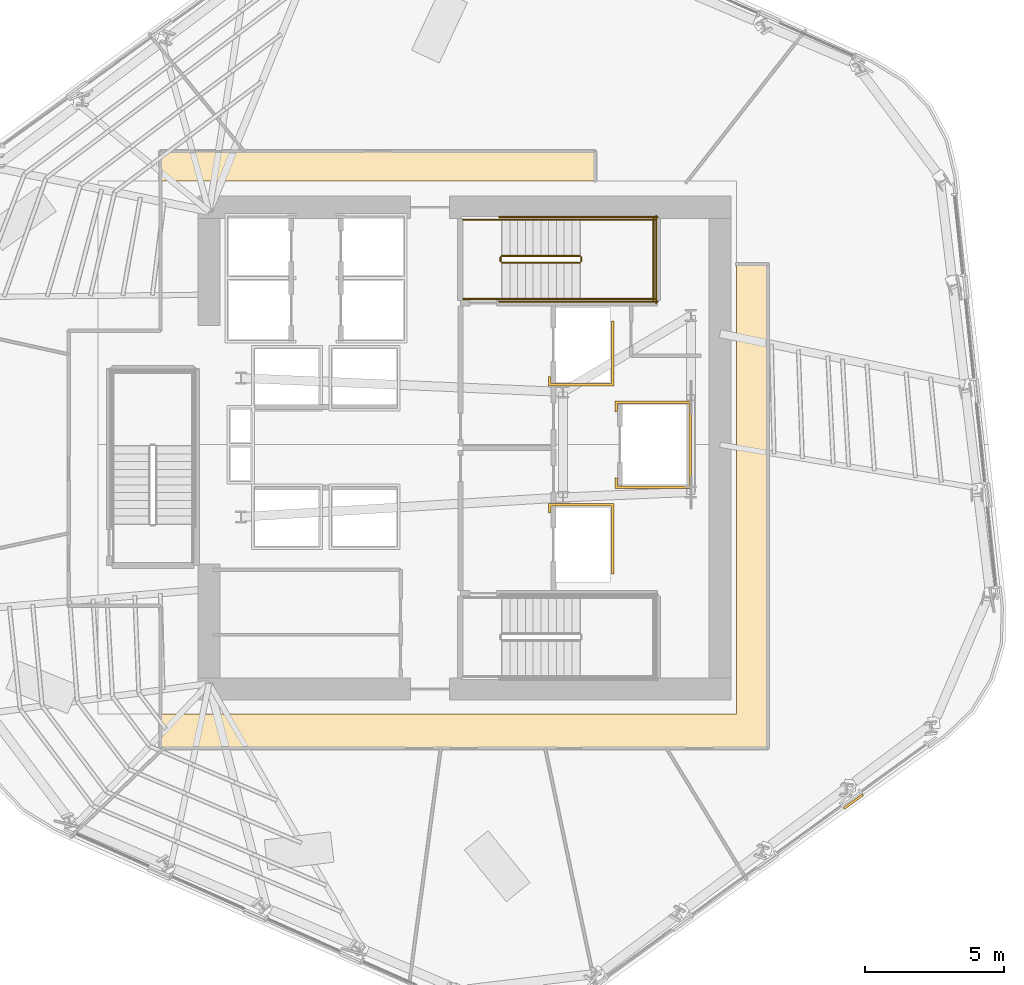
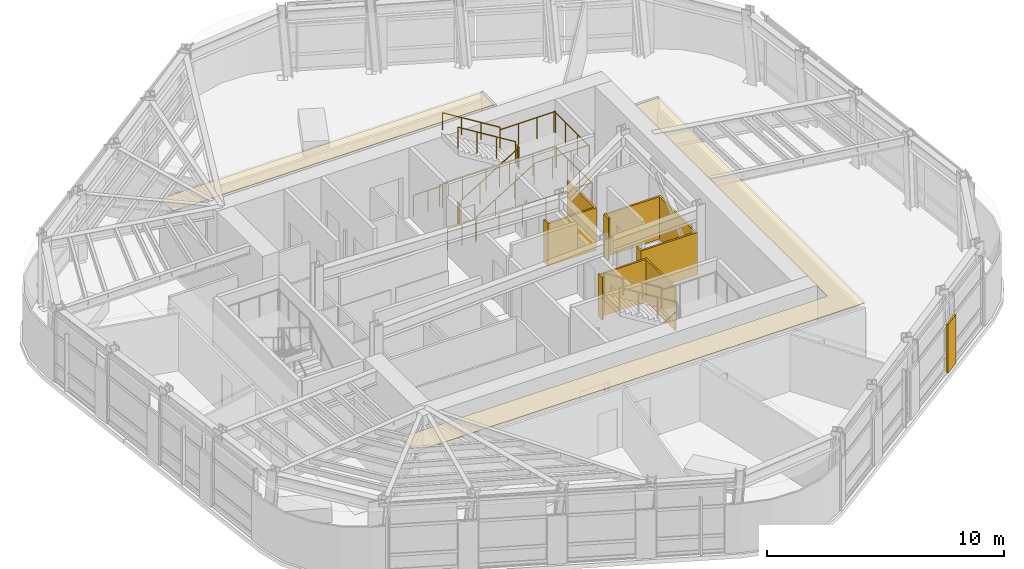
# One storey, part 12 of 14: 14 railings, 6 coverings.
"""IFC4 building model written with IfcOpenShell, lengths in metres."""

from ifc_helpers import new_model, si_unit, direction, frame, origin, origin_2d, place, context, subcontext, project, spatial, polyline, circle, outline, extrude, material, layer, layer_set, type_object, element, save


model = new_model("IFC4")

# Units and contexts
model_context = context("Model", 3, precision=1e-05, world=origin(), true_north=direction((0.0, 1.0)))
body_context = subcontext(model_context, "Body", "Model", "MODEL_VIEW")
ifc_project = project(units=[si_unit("LENGTHUNIT", "METRE"), si_unit("AREAUNIT", "SQUARE_METRE"), si_unit("VOLUMEUNIT", "CUBIC_METRE"), si_unit("PLANEANGLEUNIT", "RADIAN"), si_unit("MASSUNIT", "GRAM", prefix="KILO")], contexts=[model_context])

# Site, building, storey
site_placement = place(None, origin())
site = spatial("IfcSite", under=ifc_project, at=site_placement, CompositionType="ELEMENT")
building_placement = place(site_placement, origin())
building = spatial("IfcBuilding", under=site, at=building_placement, Name="Valkerne Bourse Tower", CompositionType="ELEMENT")
storey_placement = place(building_placement, frame((0.0, 0.0, 178.0)))
storey = spatial("IfcBuildingStorey", under=building, at=storey_placement, Name="L45", CompositionType="ELEMENT", Elevation=178.0)

# Coverings
ifc_material_1 = material(Name="Bronze Anodised Aluminium AA 6063-T6", Category="aluminium")
ifc_layer_1 = layer(ifc_material_1, 0.030029296875)
ifc_layer_set_1 = layer_set([ifc_layer_1], Name="Bronze Anodised Aluminium AA 6063-T6")
covering_type_1 = type_object("IfcCoveringType", Name="COV-CEIL-METAL", PredefinedType="CEILING", material=ifc_layer_set_1)
covering_1_placement = place(storey_placement, frame((0.0, 0.0, 3.22998046875)))
element("IfcCovering", 1, at=covering_1_placement, inside=storey, type_object=covering_type_1, Name="L45 Suspended Ceiling 01", PredefinedType="CEILING", context=body_context, shape_type="SweptSolid", body=[
    extrude(outline(polyline([(35.85400390625, 17.300048828125), (56.60009765625, 17.300048828125), (56.60009765625, 33.49609375), (57.716064453125, 33.49609375), (57.716064453125, 16.083984375), (35.85400390625, 16.083984375), (35.85400390625, 17.300048828125)])), origin(), (0.0, 0.0, 1.0), 0.02490234375),
])
covering_2_placement = place(storey_placement, frame((0.0, 0.0, 3.22998046875)))
element("IfcCovering", 2, at=covering_2_placement, inside=storey, type_object=covering_type_1, Name="L45 Suspended Ceiling 03", PredefinedType="CEILING", context=body_context, shape_type="SweptSolid", body=[
    extrude(outline(polyline([(35.85400390625, 37.555908203125), (51.49609375, 37.555908203125), (51.49609375, 36.5), (35.85400390625, 36.5), (35.85400390625, 37.555908203125)])), origin(), (0.0, 0.0, 1.0), 0.02490234375),
])
ifc_layer_2 = layer(ifc_material_1, 0.06005859375)
ifc_layer_set_2 = layer_set([ifc_layer_2], Name="Bronze Anodised Aluminium AA 6063-T6")
covering_type_2 = type_object("IfcCoveringType", Name="COV-CRN-ALUM", PredefinedType="CLADDING", material=ifc_layer_set_2)
covering_3_placement = place(storey_placement, origin())
element("IfcCovering", 3, at=covering_3_placement, inside=storey, type_object=covering_type_2, Name="L45 Wind-Shaped Corner Aluminium Cladding 02", PredefinedType="CLADDING", context=body_context, shape_type="SweptSolid", body=[
    extrude(outline(polyline([(60.481201171875, 13.870361328125), (60.434326171875, 13.93505859375), (61.116455078125, 14.42529296875), (61.163330078125, 14.360595703125), (60.481201171875, 13.870361328125)])), origin(), (0.0, 0.0, 1.0), 2.5),
])
ifc_material_2 = material(Name="Gypsum Shaftwall Liner Board", Category="gypsum")
ifc_layer_3 = layer(ifc_material_2, 0.080078125)
ifc_layer_set_3 = layer_set([ifc_layer_3], Name="Gypsum Shaftwall Liner Board")
covering_type_3 = type_object("IfcCoveringType", Name="COV-SHF-CLAD", PredefinedType="CLADDING", material=ifc_layer_set_3)
covering_4_placement = place(storey_placement, origin())
element("IfcCovering", 4, at=covering_4_placement, inside=storey, type_object=covering_type_3, Name="L45 Hoistway & Riser Shaftwall Liner 05", PredefinedType="CLADDING", context=body_context, shape_type="SweptSolid", body=[
    extrude(outline(polyline([(52.179931640625, 22.35009765625), (52.090087890625, 22.35009765625), (52.090087890625, 24.7900390625), (49.909912109375, 24.7900390625), (49.909912109375, 24.560791015625), (49.869384765625, 24.550537109375), (49.827880859375, 24.53564453125), (49.820068359375, 24.531982421875), (49.820068359375, 24.8798828125), (52.179931640625, 24.8798828125), (52.179931640625, 22.35009765625)])), origin(), (0.0, 0.0, 1.0), 2.179931640625),
])
covering_5_placement = place(storey_placement, origin())
element("IfcCovering", 5, at=covering_5_placement, inside=storey, type_object=covering_type_3, Name="L45 Hoistway & Riser Shaftwall Liner 06", PredefinedType="CLADDING", context=body_context, shape_type="SweptSolid", body=[
    extrude(outline(polyline([(54.97998046875, 25.419921875), (52.219970703125, 25.419921875), (52.219970703125, 25.81787109375), (52.227783203125, 25.814208984375), (52.269287109375, 25.79931640625), (52.31005859375, 25.789306640625), (52.31005859375, 25.510009765625), (54.889892578125, 25.510009765625), (54.889892578125, 28.489990234375), (52.31005859375, 28.489990234375), (52.31005859375, 28.210693359375), (52.269287109375, 28.20068359375), (52.227783203125, 28.185791015625), (52.219970703125, 28.18212890625), (52.219970703125, 28.580078125), (54.97998046875, 28.580078125), (54.97998046875, 25.419921875)])), origin(), (0.0, 0.0, 1.0), 2.179931640625),
])
covering_6_placement = place(storey_placement, origin())
element("IfcCovering", 6, at=covering_6_placement, inside=storey, type_object=covering_type_3, Name="L45 Hoistway & Riser Shaftwall Liner 08", PredefinedType="CLADDING", context=body_context, shape_type="SweptSolid", body=[
    extrude(outline(polyline([(49.820068359375, 29.1201171875), (49.820068359375, 29.468017578125), (49.827880859375, 29.46435546875), (49.869384765625, 29.449462890625), (49.909912109375, 29.439208984375), (49.909912109375, 29.2099609375), (52.090087890625, 29.2099609375), (52.090087890625, 31.449951171875), (52.179931640625, 31.449951171875), (52.179931640625, 29.1201171875), (49.820068359375, 29.1201171875)])), origin(), (0.0, 0.0, 1.0), 2.179931640625),
])

# Railings
ifc_material_3 = material(Name="Galvanised Painted Steel", Category="steel")
railing_type_1 = type_object("IfcRailingType", Name="RLG-ST-GUARD-1120", PredefinedType="GUARDRAIL", material=ifc_material_3)
railing_1_placement = place(storey_placement, frame((48.14990234375, 33.550048828125, 0.172607421875)))
element("IfcRailing", 7, at=railing_1_placement, inside=storey, type_object=railing_type_1, Name="L45 ST-2 stair guard 1", PredefinedType="GUARDRAIL", context=body_context, shape_type="SweptSolid", body=[
    extrude(circle(Radius=0.02392578125, at=origin_2d()), frame((0.0, 0.0, 1.09619140625), z_axis=(0.851089632645, 0.0, 0.525020415988), x_axis=(0.0, 1.0, 0.0)), (0.0, 0.0, 1.0), 3.2900390625),
    extrude(circle(Radius=0.02099609375, at=origin_2d()), origin(), (0.0, 0.0, 1.0), 1.072021484375),
    extrude(circle(Radius=0.02099609375, at=origin_2d()), frame((0.933349609375, 0.0, 0.57568359375)), (0.0, 0.0, 1.0), 1.072021484375),
    extrude(circle(Radius=0.02099609375, at=origin_2d()), frame((1.86669921875, 0.0, 1.151611328125)), (0.0, 0.0, 1.0), 1.072021484375),
    extrude(circle(Radius=0.02099609375, at=origin_2d()), frame((2.800048828125, 0.0, 1.727294921875)), (0.0, 0.0, 1.0), 1.072021484375),
])
railing_2_placement = place(storey_placement, frame((51.0, 33.60009765625, 1.89990234375)))
element("IfcRailing", 8, at=railing_2_placement, inside=storey, type_object=railing_type_1, Name="L45 ST-2 stair guard 2", PredefinedType="GUARDRAIL", context=body_context, shape_type="SweptSolid", body=[
    extrude(circle(Radius=0.02392578125, at=origin_2d()), frame((0.0, 0.0, 1.09619140625), z_axis=(0.0, 1.0, 0.0), x_axis=(-1.0, 0.0, 0.0)), (0.0, 0.0, 1.0), 0.14990234375),
    extrude(circle(Radius=0.02099609375, at=origin_2d()), origin(), (0.0, 0.0, 1.0), 1.072021484375),
    extrude(circle(Radius=0.02099609375, at=origin_2d()), frame((0.0, 0.14990234375, 0.0)), (0.0, 0.0, 1.0), 1.072021484375),
])
for number, where, name in (
    (9, (50.949951171875, 32.25, 1.89990234375), "L45 ST-2 stair guard 3"),
    (10, (50.949951171875, 35.10009765625, 1.89990234375), "L45 ST-2 stair guard 4"),
):
    element("IfcRailing", number, at=place(storey_placement, frame(where)), inside=storey, type_object=railing_type_1, Name=name, PredefinedType="GUARDRAIL", context=body_context, shape_type="SweptSolid", body=[
        extrude(circle(Radius=0.02392578125, at=origin_2d()), frame((0.0, 0.0, 1.09619140625), z_axis=(1.0, 0.0, 0.0), x_axis=(0.0, 1.0, 0.0)), (0.0, 0.0, 1.0), 2.699951171875),
        extrude(circle(Radius=0.02099609375, at=origin_2d()), origin(), (0.0, 0.0, 1.0), 1.072021484375),
        extrude(circle(Radius=0.02099609375, at=origin_2d()), frame((0.89990234375, 0.0, 0.0)), (0.0, 0.0, 1.0), 1.072021484375),
        extrude(circle(Radius=0.02099609375, at=origin_2d()), frame((1.800048828125, 0.0, 0.0)), (0.0, 0.0, 1.0), 1.072021484375),
        extrude(circle(Radius=0.02099609375, at=origin_2d()), frame((2.699951171875, 0.0, 0.0)), (0.0, 0.0, 1.0), 1.072021484375),
    ])
railing_3_placement = place(storey_placement, frame((53.60009765625, 32.199951171875, 1.89990234375)))
element("IfcRailing", 11, at=railing_3_placement, inside=storey, type_object=railing_type_1, Name="L45 ST-2 stair guard 5", PredefinedType="GUARDRAIL", context=body_context, shape_type="SweptSolid", body=[
    extrude(circle(Radius=0.02392578125, at=origin_2d()), frame((0.0, 0.0, 1.09619140625), z_axis=(0.0, 1.0, 0.0), x_axis=(-1.0, 0.0, 0.0)), (0.0, 0.0, 1.0), 2.949951171875),
    extrude(circle(Radius=0.02099609375, at=origin_2d()), origin(), (0.0, 0.0, 1.0), 1.072021484375),
    extrude(circle(Radius=0.02099609375, at=origin_2d()), frame((0.0, 0.9833984375, 0.0)), (0.0, 0.0, 1.0), 1.072021484375),
    extrude(circle(Radius=0.02099609375, at=origin_2d()), frame((0.0, 1.966552734375, 0.0)), (0.0, 0.0, 1.0), 1.072021484375),
    extrude(circle(Radius=0.02099609375, at=origin_2d()), frame((0.0, 2.949951171875, 0.0)), (0.0, 0.0, 1.0), 1.072021484375),
])
railing_4_placement = place(storey_placement, frame((50.949951171875, 33.800048828125, 2.07275390625)))
element("IfcRailing", 12, at=railing_4_placement, inside=storey, type_object=railing_type_1, Name="L45 ST-2 stair guard 6", PredefinedType="GUARDRAIL", context=body_context, shape_type="SweptSolid", body=[
    extrude(circle(Radius=0.02392578125, at=origin_2d()), frame((0.0, 0.0, 1.09619140625), z_axis=(-0.851089632645, 0.0, 0.525020415988), x_axis=(0.0, -1.0, 0.0)), (0.0, 0.0, 1.0), 3.2900390625),
    extrude(circle(Radius=0.02099609375, at=origin_2d()), origin(), (0.0, 0.0, 1.0), 1.072021484375),
    extrude(circle(Radius=0.02099609375, at=origin_2d()), frame((-0.933349609375, 0.0, 0.57568359375)), (0.0, 0.0, 1.0), 1.072021484375),
    extrude(circle(Radius=0.02099609375, at=origin_2d()), frame((-1.86669921875, 0.0, 1.151611328125)), (0.0, 0.0, 1.0), 1.072021484375),
    extrude(circle(Radius=0.02099609375, at=origin_2d()), frame((-2.800048828125, 0.0, 1.727294921875)), (0.0, 0.0, 1.0), 1.072021484375),
])
railing_5_placement = place(storey_placement, frame((48.10009765625, 33.60009765625, 0.0)))
element("IfcRailing", 13, at=railing_5_placement, inside=storey, type_object=railing_type_1, Name="L45 ST-2 stair guard 7", PredefinedType="GUARDRAIL", context=body_context, shape_type="SweptSolid", body=[
    extrude(circle(Radius=0.02392578125, at=origin_2d()), frame((0.0, 0.0, 1.09619140625), z_axis=(0.0, 1.0, 0.0), x_axis=(-1.0, 0.0, 0.0)), (0.0, 0.0, 1.0), 0.14990234375),
    extrude(circle(Radius=0.02099609375, at=origin_2d()), origin(), (0.0, 0.0, 1.0), 1.072021484375),
    extrude(circle(Radius=0.02099609375, at=origin_2d()), frame((0.0, 0.14990234375, 0.0)), (0.0, 0.0, 1.0), 1.072021484375),
])
for number, where, name in (
    (14, (46.75, 32.25, 0.0), "L45 ST-2 stair guard 8"),
    (15, (46.75, 35.10009765625, 0.0), "L45 ST-2 stair guard 9"),
):
    element("IfcRailing", number, at=place(storey_placement, frame(where)), inside=storey, type_object=railing_type_1, Name=name, PredefinedType="GUARDRAIL", context=body_context, shape_type="SweptSolid", body=[
        extrude(circle(Radius=0.02392578125, at=origin_2d()), frame((0.0, 0.0, 1.09619140625), z_axis=(1.0, 0.0, 0.0), x_axis=(0.0, 1.0, 0.0)), (0.0, 0.0, 1.0), 1.39990234375),
        extrude(circle(Radius=0.02099609375, at=origin_2d()), origin(), (0.0, 0.0, 1.0), 1.072021484375),
        extrude(circle(Radius=0.02099609375, at=origin_2d()), frame((0.699951171875, 0.0, 0.0)), (0.0, 0.0, 1.0), 1.072021484375),
        extrude(circle(Radius=0.02099609375, at=origin_2d()), frame((1.39990234375, 0.0, 0.0)), (0.0, 0.0, 1.0), 1.072021484375),
    ])
for number, where, name in (
    (16, (48.050048828125, 32.14990234375, 0.0), "L45 ST-2 stair guard 10"),
    (17, (48.050048828125, 35.199951171875, 0.0), "L45 ST-2 stair guard 11"),
):
    element("IfcRailing", number, at=place(storey_placement, frame(where)), inside=storey, type_object=railing_type_1, Name=name, PredefinedType="GUARDRAIL", context=body_context, shape_type="SweptSolid", body=[
        extrude(circle(Radius=0.02392578125, at=origin_2d()), frame((0.0, 0.0, 1.09619140625), z_axis=(1.0, 0.0, 0.0), x_axis=(0.0, 1.0, 0.0)), (0.0, 0.0, 1.0), 5.699951171875),
        extrude(circle(Radius=0.02099609375, at=origin_2d()), origin(), (0.0, 0.0, 1.0), 1.072021484375),
        extrude(circle(Radius=0.02099609375, at=origin_2d()), frame((1.139892578125, 0.0, 0.0)), (0.0, 0.0, 1.0), 1.072021484375),
        extrude(circle(Radius=0.02099609375, at=origin_2d()), frame((2.280029296875, 0.0, 0.0)), (0.0, 0.0, 1.0), 1.072021484375),
        extrude(circle(Radius=0.02099609375, at=origin_2d()), frame((3.419921875, 0.0, 0.0)), (0.0, 0.0, 1.0), 1.072021484375),
        extrude(circle(Radius=0.02099609375, at=origin_2d()), frame((4.56005859375, 0.0, 0.0)), (0.0, 0.0, 1.0), 1.072021484375),
        extrude(circle(Radius=0.02099609375, at=origin_2d()), frame((5.699951171875, 0.0, 0.0)), (0.0, 0.0, 1.0), 1.072021484375),
    ])
railing_6_placement = place(storey_placement, frame((53.699951171875, 32.10009765625, 0.0)))
element("IfcRailing", 18, at=railing_6_placement, inside=storey, type_object=railing_type_1, Name="L45 ST-2 stair guard 12", PredefinedType="GUARDRAIL", context=body_context, shape_type="SweptSolid", body=[
    extrude(circle(Radius=0.02392578125, at=origin_2d()), frame((0.0, 0.0, 1.09619140625), z_axis=(0.0, 1.0, 0.0), x_axis=(-1.0, 0.0, 0.0)), (0.0, 0.0, 1.0), 3.14990234375),
    extrude(circle(Radius=0.02099609375, at=origin_2d()), origin(), (0.0, 0.0, 1.0), 1.072021484375),
    extrude(circle(Radius=0.02099609375, at=origin_2d()), frame((0.0, 1.050048828125, 0.0)), (0.0, 0.0, 1.0), 1.072021484375),
    extrude(circle(Radius=0.02099609375, at=origin_2d()), frame((0.0, 2.099853515625, 0.0)), (0.0, 0.0, 1.0), 1.072021484375),
    extrude(circle(Radius=0.02099609375, at=origin_2d()), frame((0.0, 3.14990234375, 0.0)), (0.0, 0.0, 1.0), 1.072021484375),
])
ifc_material_4 = material(Name="Stainless Steel AISI 316", Category="steel")
railing_type_2 = type_object("IfcRailingType", Name="RLG-ST-HANDRAIL-900", PredefinedType="HANDRAIL", material=ifc_material_4)
railing_7_placement = place(storey_placement, frame((48.14990234375, 32.25, 0.345458984375)))
element("IfcRailing", 19, at=railing_7_placement, inside=storey, type_object=railing_type_2, Name="L45 ST-2 stair handrail 1", PredefinedType="HANDRAIL", context=body_context, shape_type="SweptSolid", body=[
    extrude(circle(Radius=0.02392578125, at=origin_2d()), frame((0.0, 0.0, 0.8759765625), z_axis=(0.851089632645, 0.0, 0.525020415988), x_axis=(0.0, 1.0, 0.0)), (0.0, 0.0, 1.0), 3.2900390625),
    extrude(circle(Radius=0.02099609375, at=origin_2d()), origin(), (0.0, 0.0, 1.0), 0.851806640625),
    extrude(circle(Radius=0.02099609375, at=origin_2d()), frame((0.933349609375, 0.0, 0.57568359375)), (0.0, 0.0, 1.0), 0.851806640625),
    extrude(circle(Radius=0.02099609375, at=origin_2d()), frame((1.86669921875, 0.0, 1.151611328125)), (0.0, 0.0, 1.0), 0.851806640625),
    extrude(circle(Radius=0.02099609375, at=origin_2d()), frame((2.800048828125, 0.0, 1.727294921875)), (0.0, 0.0, 1.0), 0.851806640625),
])
railing_8_placement = place(storey_placement, frame((50.949951171875, 35.10009765625, 2.245361328125)))
element("IfcRailing", 20, at=railing_8_placement, inside=storey, type_object=railing_type_2, Name="L45 ST-2 stair handrail 2", PredefinedType="HANDRAIL", context=body_context, shape_type="SweptSolid", body=[
    extrude(circle(Radius=0.02392578125, at=origin_2d()), frame((0.0, 0.0, 0.8759765625), z_axis=(-0.851089632645, 0.0, 0.525020415988), x_axis=(0.0, -1.0, 0.0)), (0.0, 0.0, 1.0), 3.2900390625),
    extrude(circle(Radius=0.02099609375, at=origin_2d()), origin(), (0.0, 0.0, 1.0), 0.851806640625),
    extrude(circle(Radius=0.02099609375, at=origin_2d()), frame((-0.933349609375, 0.0, 0.57568359375)), (0.0, 0.0, 1.0), 0.851806640625),
    extrude(circle(Radius=0.02099609375, at=origin_2d()), frame((-1.86669921875, 0.0, 1.151611328125)), (0.0, 0.0, 1.0), 0.851806640625),
    extrude(circle(Radius=0.02099609375, at=origin_2d()), frame((-2.800048828125, 0.0, 1.727294921875)), (0.0, 0.0, 1.0), 0.851806640625),
])

save(model, "model.ifc")
